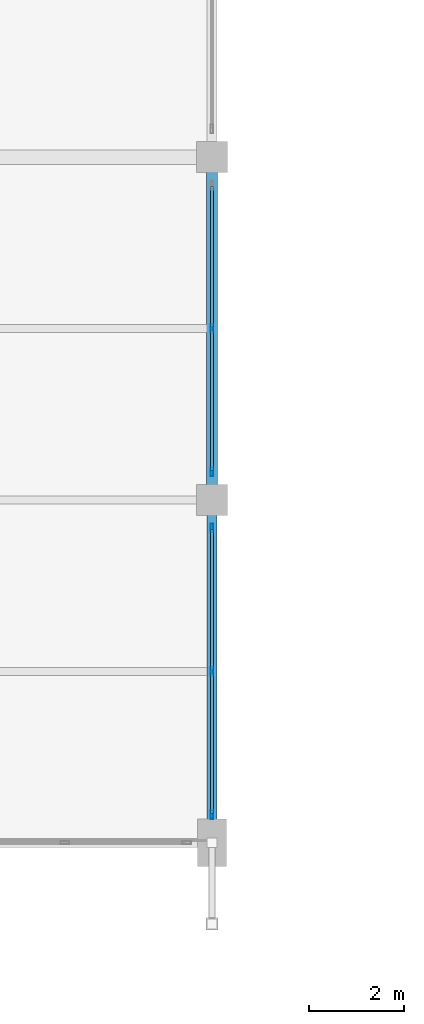
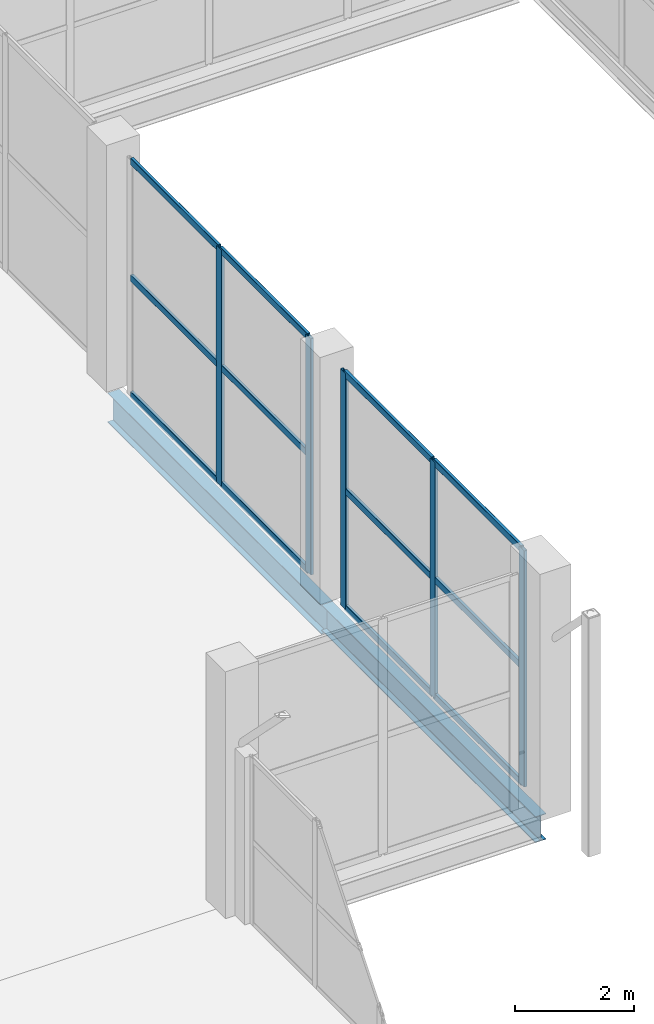
# One storey, part 34 of 127: 17 members, 2 beams, 2 elements without a shape of their own.
"""IFC4 building model written with IfcOpenShell, lengths in metres."""

from ifc_helpers import new_model, si_unit, direction, frame, origin, origin_2d, place, context, subcontext, project, spatial, hollow_rectangle, i_section, extrude, material, layer, layer_set, material_profile, profile_set, type_object, element, aggregate, save


model = new_model("IFC4")

# Units and contexts
model_context = context("Model", 3, precision=1e-05, world=origin(), true_north=direction((0.0, 1.0)))
body_context = subcontext(model_context, "Body", "Model", "MODEL_VIEW")
ifc_project = project(units=[si_unit("LENGTHUNIT", "METRE"), si_unit("AREAUNIT", "SQUARE_METRE"), si_unit("VOLUMEUNIT", "CUBIC_METRE"), si_unit("PLANEANGLEUNIT", "RADIAN"), si_unit("MASSUNIT", "GRAM", prefix="KILO")], contexts=[model_context])

# Site, building, storey
site_placement = place(None, origin())
site = spatial("IfcSite", under=ifc_project, at=site_placement, CompositionType="ELEMENT")
building_placement = place(site_placement, origin())
building = spatial("IfcBuilding", under=site, at=building_placement, Name="Dunvalen Ferry Terminal", CompositionType="ELEMENT")
storey_placement = place(building_placement, frame((0.0, 0.0, 5.760009765625)))
storey = spatial("IfcBuildingStorey", under=building, at=storey_placement, Name="L01", CompositionType="ELEMENT", Elevation=5.760009765625)

# Curtain wall, members
ifc_material_1 = material(Name="Anodised marine aluminium and solar-control glazing", Category="aluminium")
ifc_layer = layer(ifc_material_1, 0.219970703125, Name="Anodised marine aluminium and solar-control glazing")
ifc_layer_set = layer_set([ifc_layer], Name="Anodised marine aluminium and solar-control glazing")
curtain_wall_type = type_object("IfcCurtainWallType", Name="ENV-CW-SYS-04", PredefinedType="NOTDEFINED", material=ifc_layer_set)
curtain_wall_1_placement = place(storey_placement, origin())
curtain_wall_1 = element("IfcCurtainWall", 1, at=curtain_wall_1_placement, inside=storey, type_object=curtain_wall_type, Name="L01 Curtain Wall CW-V1E-L01-01", PredefinedType="NOTDEFINED")
ifc_material_2 = material(Name="Anodised marine aluminium EN AW-6063 T6", Category="aluminium")
ifc_material_profile_1 = material_profile(ifc_material_2, hollow_rectangle(XDim=0.06005859375, YDim=0.179931640625, WallThickness=0.00341796875, InnerFilletRadius=0.00341796875, OuterFilletRadius=0.007080078125, at=origin_2d()), Name="Anodised marine aluminium EN AW-6063 T6")
ifc_profile_set_1 = profile_set([ifc_material_profile_1], Name="Anodised marine aluminium EN AW-6063 T6")
member_type_1 = type_object("IfcMemberType", Name="ENV-CW-MUL-2", PredefinedType="MULLION", material=ifc_profile_set_1)
member_1_placement = place(storey_placement, frame((96.0, 50.989990234375, 0.0), z_axis=(0.0, 0.0, 1.0), x_axis=(-1.0, 0.0, 0.0)))
member_1 = element("IfcMember", 2, at=member_1_placement, type_object=member_type_1, Name="CW-04 mullion 1", PredefinedType="MULLION", context=body_context, shape_type="SweptSolid", body=[
    extrude(hollow_rectangle(XDim=0.06005859375, YDim=0.179931640625, WallThickness=0.00341796875, InnerFilletRadius=0.00341796875, OuterFilletRadius=0.007080078125, at=origin_2d()), origin(), (0.0, 0.0, 1.0), 4.860107421875),
])
member_2_placement = place(storey_placement, frame((96.0, 54.0, 0.0), z_axis=(0.0, 0.0, 1.0), x_axis=(-1.0, 0.0, 0.0)))
member_2 = element("IfcMember", 3, at=member_2_placement, type_object=member_type_1, Name="CW-04 mullion 2", PredefinedType="MULLION", context=body_context, shape_type="SweptSolid", body=[
    extrude(hollow_rectangle(XDim=0.06005859375, YDim=0.179931640625, WallThickness=0.00341796875, InnerFilletRadius=0.00341796875, OuterFilletRadius=0.007080078125, at=origin_2d()), origin(), (0.0, 0.0, 1.0), 4.860107421875),
])
member_3_placement = place(storey_placement, frame((96.0, 57.010009765625, 0.0), z_axis=(0.0, 0.0, 1.0), x_axis=(-1.0, 0.0, 0.0)))
member_3 = element("IfcMember", 4, at=member_3_placement, type_object=member_type_1, Name="CW-04 mullion 3", PredefinedType="MULLION", context=body_context, shape_type="SweptSolid", body=[
    extrude(hollow_rectangle(XDim=0.06005859375, YDim=0.179931640625, WallThickness=0.00341796875, InnerFilletRadius=0.00341796875, OuterFilletRadius=0.007080078125, at=origin_2d()), origin(), (0.0, 0.0, 1.0), 4.860107421875),
])

curtain_wall_2_placement = place(storey_placement, origin())
curtain_wall_2 = element("IfcCurtainWall", 5, at=curtain_wall_2_placement, inside=storey, type_object=curtain_wall_type, Name="L01 Curtain Wall CW-V1E-L01-02", PredefinedType="NOTDEFINED")
member_4_placement = place(storey_placement, frame((96.0, 58.18994140625, 0.0), z_axis=(0.0, 0.0, 1.0), x_axis=(-1.0, 0.0, 0.0)))
member_4 = element("IfcMember", 6, at=member_4_placement, type_object=member_type_1, Name="CW-04 mullion 1", PredefinedType="MULLION", context=body_context, shape_type="SweptSolid", body=[
    extrude(hollow_rectangle(XDim=0.06005859375, YDim=0.179931640625, WallThickness=0.00341796875, InnerFilletRadius=0.00341796875, OuterFilletRadius=0.007080078125, at=origin_2d()), origin(), (0.0, 0.0, 1.0), 4.860107421875),
])
member_5_placement = place(storey_placement, frame((96.0, 61.199951171875, 0.0), z_axis=(0.0, 0.0, 1.0), x_axis=(-1.0, 0.0, 0.0)))
member_5 = element("IfcMember", 7, at=member_5_placement, type_object=member_type_1, Name="CW-04 mullion 2", PredefinedType="MULLION", context=body_context, shape_type="SweptSolid", body=[
    extrude(hollow_rectangle(XDim=0.06005859375, YDim=0.179931640625, WallThickness=0.00341796875, InnerFilletRadius=0.00341796875, OuterFilletRadius=0.007080078125, at=origin_2d()), origin(), (0.0, 0.0, 1.0), 4.860107421875),
])

# Member
ifc_material_profile_2 = material_profile(ifc_material_2, hollow_rectangle(XDim=0.06005859375, YDim=0.135009765625, WallThickness=0.003173828125, InnerFilletRadius=0.003173828125, OuterFilletRadius=0.00634765625, at=origin_2d()), Name="Anodised marine aluminium EN AW-6063 T6")
ifc_profile_set_2 = profile_set([ifc_material_profile_2], Name="Anodised marine aluminium EN AW-6063 T6")
member_type_2 = type_object("IfcMemberType", Name="ENV-CW-TRN-2", PredefinedType="USERDEFINED", material=ifc_profile_set_2)
member_6_placement = place(storey_placement, frame((96.0, 51.02001953125, 0.030029296875), z_axis=(0.0, 1.0, 0.0), x_axis=(-1.0, 0.0, 0.0)))
member_6 = element("IfcMember", 8, at=member_6_placement, type_object=member_type_2, Name="CW-04 transom 1.1", ObjectType="TRANSOM", PredefinedType="USERDEFINED", context=body_context, shape_type="SweptSolid", body=[
    extrude(hollow_rectangle(XDim=0.06005859375, YDim=0.135009765625, WallThickness=0.003173828125, InnerFilletRadius=0.003173828125, OuterFilletRadius=0.00634765625, at=origin_2d()), origin(), (0.0, 0.0, 1.0), 2.949951171875),
])

member_7_placement = place(storey_placement, frame((96.0, 51.02001953125, 2.429931640625), z_axis=(0.0, 1.0, 0.0), x_axis=(-1.0, 0.0, 0.0)))
member_7 = element("IfcMember", 9, at=member_7_placement, type_object=member_type_2, Name="CW-04 transom 1.2", ObjectType="TRANSOM", PredefinedType="USERDEFINED", context=body_context, shape_type="SweptSolid", body=[
    extrude(hollow_rectangle(XDim=0.06005859375, YDim=0.135009765625, WallThickness=0.003173828125, InnerFilletRadius=0.003173828125, OuterFilletRadius=0.00634765625, at=origin_2d()), origin(), (0.0, 0.0, 1.0), 2.949951171875),
])

member_8_placement = place(storey_placement, frame((96.0, 51.02001953125, 4.830078125), z_axis=(0.0, 1.0, 0.0), x_axis=(-1.0, 0.0, 0.0)))
member_8 = element("IfcMember", 10, at=member_8_placement, type_object=member_type_2, Name="CW-04 transom 1.3", ObjectType="TRANSOM", PredefinedType="USERDEFINED", context=body_context, shape_type="SweptSolid", body=[
    extrude(hollow_rectangle(XDim=0.06005859375, YDim=0.135009765625, WallThickness=0.003173828125, InnerFilletRadius=0.003173828125, OuterFilletRadius=0.00634765625, at=origin_2d()), origin(), (0.0, 0.0, 1.0), 2.949951171875),
])

member_9_placement = place(storey_placement, frame((96.0, 54.030029296875, 0.030029296875), z_axis=(0.0, 1.0, 0.0), x_axis=(-1.0, 0.0, 0.0)))
member_9 = element("IfcMember", 11, at=member_9_placement, type_object=member_type_2, Name="CW-04 transom 2.1", ObjectType="TRANSOM", PredefinedType="USERDEFINED", context=body_context, shape_type="SweptSolid", body=[
    extrude(hollow_rectangle(XDim=0.06005859375, YDim=0.135009765625, WallThickness=0.003173828125, InnerFilletRadius=0.003173828125, OuterFilletRadius=0.00634765625, at=origin_2d()), origin(), (0.0, 0.0, 1.0), 2.949951171875),
])

member_10_placement = place(storey_placement, frame((96.0, 54.030029296875, 2.429931640625), z_axis=(0.0, 1.0, 0.0), x_axis=(-1.0, 0.0, 0.0)))
member_10 = element("IfcMember", 12, at=member_10_placement, type_object=member_type_2, Name="CW-04 transom 2.2", ObjectType="TRANSOM", PredefinedType="USERDEFINED", context=body_context, shape_type="SweptSolid", body=[
    extrude(hollow_rectangle(XDim=0.06005859375, YDim=0.135009765625, WallThickness=0.003173828125, InnerFilletRadius=0.003173828125, OuterFilletRadius=0.00634765625, at=origin_2d()), origin(), (0.0, 0.0, 1.0), 2.949951171875),
])

member_11_placement = place(storey_placement, frame((96.0, 54.030029296875, 4.830078125), z_axis=(0.0, 1.0, 0.0), x_axis=(-1.0, 0.0, 0.0)))
member_11 = element("IfcMember", 13, at=member_11_placement, type_object=member_type_2, Name="CW-04 transom 2.3", ObjectType="TRANSOM", PredefinedType="USERDEFINED", context=body_context, shape_type="SweptSolid", body=[
    extrude(hollow_rectangle(XDim=0.06005859375, YDim=0.135009765625, WallThickness=0.003173828125, InnerFilletRadius=0.003173828125, OuterFilletRadius=0.00634765625, at=origin_2d()), origin(), (0.0, 0.0, 1.0), 2.949951171875),
])

aggregate(curtain_wall_1, [member_1, member_2, member_3, member_6, member_7, member_8, member_9, member_10, member_11])

member_12_placement = place(storey_placement, frame((96.0, 58.219970703125, 0.030029296875), z_axis=(0.0, 1.0, 0.0), x_axis=(-1.0, 0.0, 0.0)))
member_12 = element("IfcMember", 14, at=member_12_placement, type_object=member_type_2, Name="CW-04 transom 1.1", ObjectType="TRANSOM", PredefinedType="USERDEFINED", context=body_context, shape_type="SweptSolid", body=[
    extrude(hollow_rectangle(XDim=0.06005859375, YDim=0.135009765625, WallThickness=0.003173828125, InnerFilletRadius=0.003173828125, OuterFilletRadius=0.00634765625, at=origin_2d()), origin(), (0.0, 0.0, 1.0), 2.949951171875),
])

member_13_placement = place(storey_placement, frame((96.0, 58.219970703125, 2.429931640625), z_axis=(0.0, 1.0, 0.0), x_axis=(-1.0, 0.0, 0.0)))
member_13 = element("IfcMember", 15, at=member_13_placement, type_object=member_type_2, Name="CW-04 transom 1.2", ObjectType="TRANSOM", PredefinedType="USERDEFINED", context=body_context, shape_type="SweptSolid", body=[
    extrude(hollow_rectangle(XDim=0.06005859375, YDim=0.135009765625, WallThickness=0.003173828125, InnerFilletRadius=0.003173828125, OuterFilletRadius=0.00634765625, at=origin_2d()), origin(), (0.0, 0.0, 1.0), 2.949951171875),
])

member_14_placement = place(storey_placement, frame((96.0, 58.219970703125, 4.830078125), z_axis=(0.0, 1.0, 0.0), x_axis=(-1.0, 0.0, 0.0)))
member_14 = element("IfcMember", 16, at=member_14_placement, type_object=member_type_2, Name="CW-04 transom 1.3", ObjectType="TRANSOM", PredefinedType="USERDEFINED", context=body_context, shape_type="SweptSolid", body=[
    extrude(hollow_rectangle(XDim=0.06005859375, YDim=0.135009765625, WallThickness=0.003173828125, InnerFilletRadius=0.003173828125, OuterFilletRadius=0.00634765625, at=origin_2d()), origin(), (0.0, 0.0, 1.0), 2.949951171875),
])

member_15_placement = place(storey_placement, frame((96.0, 61.22998046875, 0.030029296875), z_axis=(0.0, 1.0, 0.0), x_axis=(-1.0, 0.0, 0.0)))
member_15 = element("IfcMember", 17, at=member_15_placement, type_object=member_type_2, Name="CW-04 transom 2.1", ObjectType="TRANSOM", PredefinedType="USERDEFINED", context=body_context, shape_type="SweptSolid", body=[
    extrude(hollow_rectangle(XDim=0.06005859375, YDim=0.135009765625, WallThickness=0.003173828125, InnerFilletRadius=0.003173828125, OuterFilletRadius=0.00634765625, at=origin_2d()), origin(), (0.0, 0.0, 1.0), 2.949951171875),
])

member_16_placement = place(storey_placement, frame((96.0, 61.22998046875, 2.429931640625), z_axis=(0.0, 1.0, 0.0), x_axis=(-1.0, 0.0, 0.0)))
member_16 = element("IfcMember", 18, at=member_16_placement, type_object=member_type_2, Name="CW-04 transom 2.2", ObjectType="TRANSOM", PredefinedType="USERDEFINED", context=body_context, shape_type="SweptSolid", body=[
    extrude(hollow_rectangle(XDim=0.06005859375, YDim=0.135009765625, WallThickness=0.003173828125, InnerFilletRadius=0.003173828125, OuterFilletRadius=0.00634765625, at=origin_2d()), origin(), (0.0, 0.0, 1.0), 2.949951171875),
])

member_17_placement = place(storey_placement, frame((96.0, 61.22998046875, 4.830078125), z_axis=(0.0, 1.0, 0.0), x_axis=(-1.0, 0.0, 0.0)))
member_17 = element("IfcMember", 19, at=member_17_placement, type_object=member_type_2, Name="CW-04 transom 2.3", ObjectType="TRANSOM", PredefinedType="USERDEFINED", context=body_context, shape_type="SweptSolid", body=[
    extrude(hollow_rectangle(XDim=0.06005859375, YDim=0.135009765625, WallThickness=0.003173828125, InnerFilletRadius=0.003173828125, OuterFilletRadius=0.00634765625, at=origin_2d()), origin(), (0.0, 0.0, 1.0), 2.949951171875),
])

aggregate(curtain_wall_2, [member_4, member_5, member_12, member_13, member_14, member_15, member_16, member_17])

# Beams
ifc_material_3 = material(Name="Steel S355", Category="steel")
ifc_material_profile_3 = material_profile(ifc_material_3, i_section(OverallWidth=0.209228515625, OverallDepth=0.533203125, WebThickness=0.010009765625, FlangeThickness=0.015625, FilletRadius=0.0126953125, at=origin_2d()), Name="Steel S355")
ifc_profile_set_3 = profile_set([ifc_material_profile_3], Name="Steel S355")
beam_type_1 = type_object("IfcBeamType", Name="STR-BM-UKB533", PredefinedType="BEAM", material=ifc_profile_set_3)
beam_1_placement = place(storey_placement, frame((96.0, 50.39990234375, -0.546630859375), z_axis=(0.0, 1.0, 0.0), x_axis=(-1.0, 0.0, 0.0)))
element("IfcBeam", 20, at=beam_1_placement, inside=storey, type_object=beam_type_1, Name="L01 V1M Primary Girder Y-139", PredefinedType="BEAM", context=body_context, shape_type="SweptSolid", body=[
    extrude(i_section(OverallWidth=0.209228515625, OverallDepth=0.533203125, WebThickness=0.010009765625, FlangeThickness=0.015625, FilletRadius=0.0126953125, at=origin_2d()), origin(), (0.0, 0.0, 1.0), 7.2001953125),
])
ifc_material_profile_4 = material_profile(ifc_material_3, i_section(OverallWidth=0.228271484375, OverallDepth=0.607666015625, WebThickness=0.010986328125, FlangeThickness=0.017333984375, FilletRadius=0.0126953125, at=origin_2d()), Name="Steel S355")
ifc_profile_set_4 = profile_set([ifc_material_profile_4], Name="Steel S355")
beam_type_2 = type_object("IfcBeamType", Name="STR-BM-UKB610", PredefinedType="BEAM", material=ifc_profile_set_4)
beam_2_placement = place(storey_placement, frame((96.0, 57.60009765625, -0.583740234375), z_axis=(0.0, 1.0, 0.0), x_axis=(-1.0, 0.0, 0.0)))
element("IfcBeam", 21, at=beam_2_placement, inside=storey, type_object=beam_type_2, Name="L01 V1M Primary Girder Y-140", PredefinedType="BEAM", context=body_context, shape_type="SweptSolid", body=[
    extrude(i_section(OverallWidth=0.228271484375, OverallDepth=0.607666015625, WebThickness=0.010986328125, FlangeThickness=0.017333984375, FilletRadius=0.0126953125, at=origin_2d()), origin(), (0.0, 0.0, 1.0), 7.199951171875),
])

save(model, "model.ifc")
